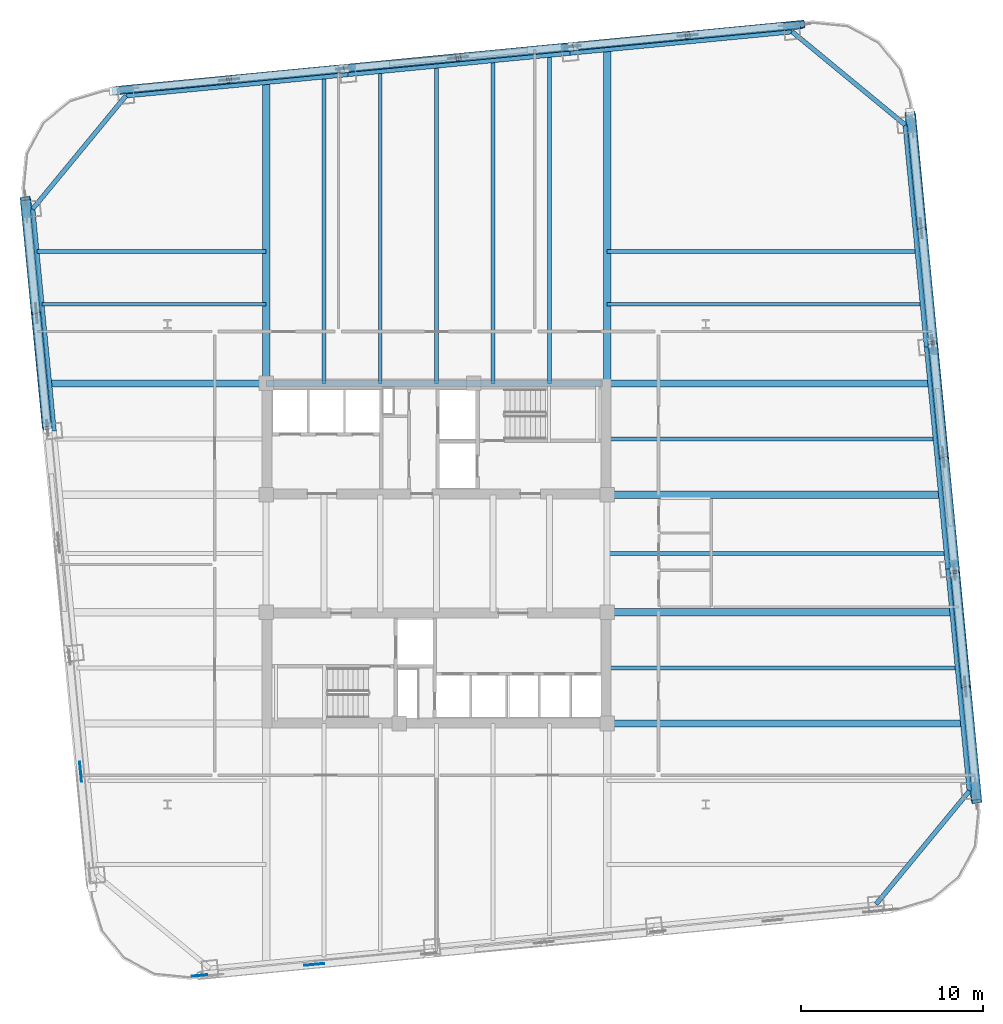
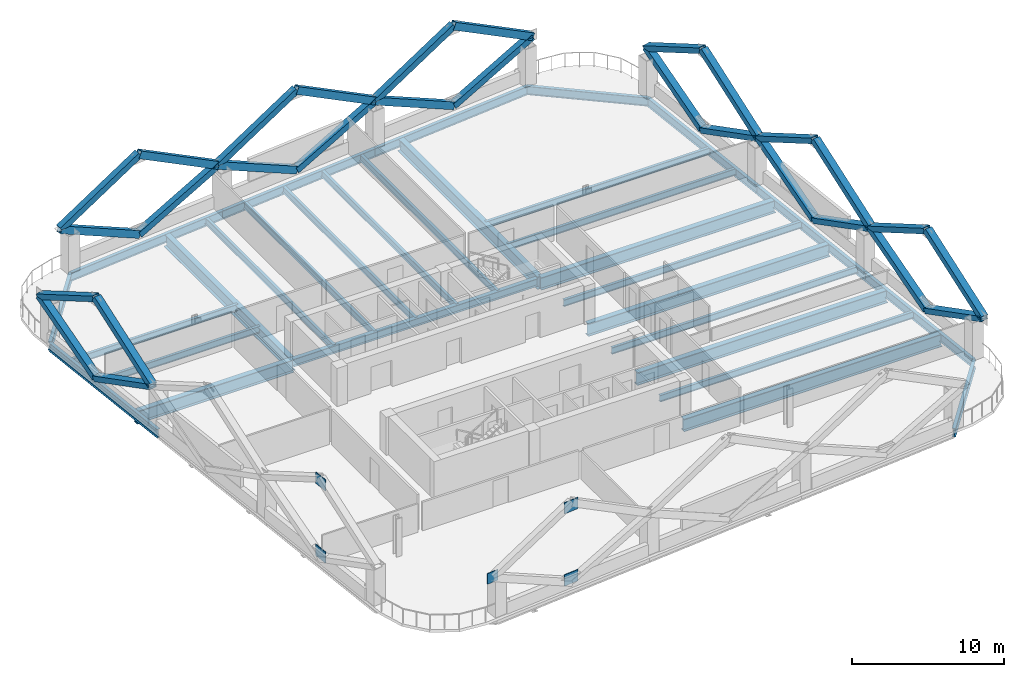
# One storey, part 2 of 8: 30 beams, 28 members, 5 plates.
"""IFC4 building model written with IfcOpenShell, lengths in metres."""

from ifc_helpers import new_model, si_unit, direction, frame, origin, origin_2d, place, context, subcontext, project, spatial, rectangle, hollow_rectangle, i_section, extrude, material, layer, layer_set, material_profile, profile_set, type_object, element, save


model = new_model("IFC4")

# Units and contexts
model_context = context("Model", 3, precision=1e-05, world=origin(), true_north=direction((0.0, 1.0)))
body_context = subcontext(model_context, "Body", "Model", "MODEL_VIEW")
ifc_project = project(units=[si_unit("LENGTHUNIT", "METRE"), si_unit("AREAUNIT", "SQUARE_METRE"), si_unit("VOLUMEUNIT", "CUBIC_METRE"), si_unit("PLANEANGLEUNIT", "RADIAN"), si_unit("MASSUNIT", "GRAM", prefix="KILO")], contexts=[model_context])

# Site, building, storey
site_placement = place(None, origin())
site = spatial("IfcSite", under=ifc_project, at=site_placement, CompositionType="ELEMENT")
building_placement = place(site_placement, origin())
building = spatial("IfcBuilding", under=site, at=building_placement, Name="Qhalaya Broadcast Tower", CompositionType="ELEMENT")
storey_placement = place(building_placement, frame((0.0, 0.0, 93.85009765625)))
storey = spatial("IfcBuildingStorey", under=building, at=storey_placement, Name="L27", CompositionType="ELEMENT", Elevation=93.85009765625)

# Beams
ifc_material_1 = material(Name="Structural Steel ASTM A992 Grade 50", Category="steel")
ifc_material_profile_1 = material_profile(ifc_material_1, i_section(OverallWidth=0.2099609375, OverallDepth=0.535888671875, WebThickness=0.010986328125, FlangeThickness=0.017333984375, at=origin_2d()), Name="W21X68")
ifc_profile_set_1 = profile_set([ifc_material_profile_1], Name="Structural Steel ASTM A992 Grade 50")
beam_type_1 = type_object("IfcBeamType", Name="Composite Floor Joist J02", PredefinedType="JOIST", material=ifc_profile_set_1)
beam_1_placement = place(storey_placement, frame((-6.199951171875, 9.949951171875, -0.488037109375), z_axis=(0.0, 1.0, 0.0), x_axis=(-1.0, 0.0, 0.0)))
element("IfcBeam", 1, at=beam_1_placement, inside=storey, type_object=beam_type_1, Name="L27 J02 L27-JNN1-1", PredefinedType="JOIST", context=body_context, shape_type="SweptSolid", body=[
    extrude(i_section(OverallWidth=0.2099609375, OverallDepth=0.535888671875, WebThickness=0.010986328125, FlangeThickness=0.017333984375, at=origin_2d()), origin(), (0.0, 0.0, 1.0), 16.843505859375),
])
beam_2_placement = place(storey_placement, frame((-3.10009765625, 9.949951171875, -0.488037109375), z_axis=(0.0, 1.0, 0.0), x_axis=(-1.0, 0.0, 0.0)))
element("IfcBeam", 2, at=beam_2_placement, inside=storey, type_object=beam_type_1, Name="L27 J02 L27-JNN2-1", PredefinedType="JOIST", context=body_context, shape_type="SweptSolid", body=[
    extrude(i_section(OverallWidth=0.2099609375, OverallDepth=0.535888671875, WebThickness=0.010986328125, FlangeThickness=0.017333984375, at=origin_2d()), origin(), (0.0, 0.0, 1.0), 17.14208984375),
])
beam_3_placement = place(storey_placement, frame((0.0, 9.949951171875, -0.488037109375), z_axis=(0.0, 1.0, 0.0), x_axis=(-1.0, 0.0, 0.0)))
element("IfcBeam", 3, at=beam_3_placement, inside=storey, type_object=beam_type_1, Name="L27 J02 L27-JNN3-1", PredefinedType="JOIST", context=body_context, shape_type="SweptSolid", body=[
    extrude(i_section(OverallWidth=0.2099609375, OverallDepth=0.535888671875, WebThickness=0.010986328125, FlangeThickness=0.017333984375, at=origin_2d()), origin(), (0.0, 0.0, 1.0), 17.4404296875),
])
beam_4_placement = place(storey_placement, frame((3.10009765625, 9.949951171875, -0.488037109375), z_axis=(0.0, 1.0, 0.0), x_axis=(-1.0, 0.0, 0.0)))
element("IfcBeam", 4, at=beam_4_placement, inside=storey, type_object=beam_type_1, Name="L27 J02 L27-JNN4-1", PredefinedType="JOIST", context=body_context, shape_type="SweptSolid", body=[
    extrude(i_section(OverallWidth=0.2099609375, OverallDepth=0.535888671875, WebThickness=0.010986328125, FlangeThickness=0.017333984375, at=origin_2d()), origin(), (0.0, 0.0, 1.0), 17.739013671875),
])
beam_5_placement = place(storey_placement, frame((6.199951171875, 9.949951171875, -0.488037109375), z_axis=(0.0, 1.0, 0.0), x_axis=(-1.0, 0.0, 0.0)))
element("IfcBeam", 5, at=beam_5_placement, inside=storey, type_object=beam_type_1, Name="L27 J02 L27-JNN5-1", PredefinedType="JOIST", context=body_context, shape_type="SweptSolid", body=[
    extrude(i_section(OverallWidth=0.2099609375, OverallDepth=0.535888671875, WebThickness=0.010986328125, FlangeThickness=0.017333984375, at=origin_2d()), origin(), (0.0, 0.0, 1.0), 18.03759765625),
])
beam_6_placement = place(storey_placement, frame((9.375, -5.699951171875, -0.488037109375), z_axis=(1.0, 0.0, 0.0), x_axis=(0.0, 1.0, 0.0)))
element("IfcBeam", 6, at=beam_6_placement, inside=storey, type_object=beam_type_1, Name="L27 J02 L27-JWE3E-1", PredefinedType="JOIST", context=body_context, shape_type="SweptSolid", body=[
    extrude(i_section(OverallWidth=0.2099609375, OverallDepth=0.535888671875, WebThickness=0.010986328125, FlangeThickness=0.017333984375, at=origin_2d()), origin(), (0.0, 0.0, 1.0), 19.24609375),
])
beam_7_placement = place(storey_placement, frame((9.375, 0.60009765625, -0.488037109375), z_axis=(1.0, 0.0, 0.0), x_axis=(0.0, 1.0, 0.0)))
element("IfcBeam", 7, at=beam_7_placement, inside=storey, type_object=beam_type_1, Name="L27 J02 L27-JWE4E-1", PredefinedType="JOIST", context=body_context, shape_type="SweptSolid", body=[
    extrude(i_section(OverallWidth=0.2099609375, OverallDepth=0.535888671875, WebThickness=0.010986328125, FlangeThickness=0.017333984375, at=origin_2d()), origin(), (0.0, 0.0, 1.0), 18.639404296875),
])
beam_8_placement = place(storey_placement, frame((9.375, 6.89990234375, -0.488037109375), z_axis=(1.0, 0.0, 0.0), x_axis=(0.0, 1.0, 0.0)))
element("IfcBeam", 8, at=beam_8_placement, inside=storey, type_object=beam_type_1, Name="L27 J02 L27-JWE5E-1", PredefinedType="JOIST", context=body_context, shape_type="SweptSolid", body=[
    extrude(i_section(OverallWidth=0.2099609375, OverallDepth=0.535888671875, WebThickness=0.010986328125, FlangeThickness=0.017333984375, at=origin_2d()), origin(), (0.0, 0.0, 1.0), 18.03271484375),
])
beam_9_placement = place(storey_placement, frame((-21.6875, 14.300048828125, -0.488037109375), z_axis=(1.0, 0.0, 0.0), x_axis=(0.0, 1.0, 0.0)))
element("IfcBeam", 9, at=beam_9_placement, inside=storey, type_object=beam_type_1, Name="L27 J02 L27-JWE6W-1", PredefinedType="JOIST", context=body_context, shape_type="SweptSolid", body=[
    extrude(i_section(OverallWidth=0.2099609375, OverallDepth=0.535888671875, WebThickness=0.010986328125, FlangeThickness=0.017333984375, at=origin_2d()), origin(), (0.0, 0.0, 1.0), 12.3125),
])
beam_10_placement = place(storey_placement, frame((9.375, 14.300048828125, -0.488037109375), z_axis=(1.0, 0.0, 0.0), x_axis=(0.0, 1.0, 0.0)))
element("IfcBeam", 10, at=beam_10_placement, inside=storey, type_object=beam_type_1, Name="L27 J02 L27-JWE6E-1", PredefinedType="JOIST", context=body_context, shape_type="SweptSolid", body=[
    extrude(i_section(OverallWidth=0.2099609375, OverallDepth=0.535888671875, WebThickness=0.010986328125, FlangeThickness=0.017333984375, at=origin_2d()), origin(), (0.0, 0.0, 1.0), 17.3203125),
])
beam_11_placement = place(storey_placement, frame((-21.966796875, 17.199951171875, -0.488037109375), z_axis=(1.0, 0.0, 0.0), x_axis=(0.0, 1.0, 0.0)))
element("IfcBeam", 11, at=beam_11_placement, inside=storey, type_object=beam_type_1, Name="L27 J02 L27-JWE7W-1", PredefinedType="JOIST", context=body_context, shape_type="SweptSolid", body=[
    extrude(i_section(OverallWidth=0.2099609375, OverallDepth=0.535888671875, WebThickness=0.010986328125, FlangeThickness=0.017333984375, at=origin_2d()), origin(), (0.0, 0.0, 1.0), 12.591796875),
])
beam_12_placement = place(storey_placement, frame((9.375, 17.199951171875, -0.488037109375), z_axis=(1.0, 0.0, 0.0), x_axis=(0.0, 1.0, 0.0)))
element("IfcBeam", 12, at=beam_12_placement, inside=storey, type_object=beam_type_1, Name="L27 J02 L27-JWE7E-1", PredefinedType="JOIST", context=body_context, shape_type="SweptSolid", body=[
    extrude(i_section(OverallWidth=0.2099609375, OverallDepth=0.535888671875, WebThickness=0.010986328125, FlangeThickness=0.017333984375, at=origin_2d()), origin(), (0.0, 0.0, 1.0), 17.041015625),
])
ifc_material_profile_2 = material_profile(ifc_material_1, i_section(OverallWidth=0.323974609375, OverallDepth=0.612060546875, WebThickness=0.0126953125, FlangeThickness=0.01904296875, at=origin_2d()), Name="W24X104")
ifc_profile_set_2 = profile_set([ifc_material_profile_2], Name="Structural Steel ASTM A992 Grade 50")
beam_type_2 = type_object("IfcBeamType", Name="Core Frame Tie Beam B04", PredefinedType="BEAM", material=ifc_profile_set_2)
beam_13_placement = place(storey_placement, frame((-9.375, 9.949951171875, -0.526123046875), z_axis=(1.0, 0.0, 0.0), x_axis=(0.0, 1.0, 0.0)))
element("IfcBeam", 13, at=beam_13_placement, inside=storey, type_object=beam_type_2, Name="L27 B04 L27-CCN3", PredefinedType="BEAM", context=body_context, shape_type="SweptSolid", body=[
    extrude(i_section(OverallWidth=0.323974609375, OverallDepth=0.612060546875, WebThickness=0.0126953125, FlangeThickness=0.01904296875, at=origin_2d()), origin(), (0.0, 0.0, 1.0), 18.4951171875),
])

# Members
ifc_material_2 = material(Name="Structural Steel ASTM A572 Grade 50", Category="steel")
ifc_material_profile_3 = material_profile(ifc_material_2, hollow_rectangle(XDim=0.419921875, YDim=0.550048828125, WallThickness=0.028076171875, at=origin_2d()), Name="BOX 420x550x28")
ifc_profile_set_3 = profile_set([ifc_material_profile_3], Name="Structural Steel ASTM A572 Grade 50")
member_type = type_object("IfcMemberType", Name="Exoskeleton Diamond Diagonal Mid-Low EX2", PredefinedType="BRACE", material=ifc_profile_set_3)
for number, where, z_axis, x_axis, name in (
    (14, (29.08154296875, -6.725830078125, 0.35986328125), (0.0869049489, -0.902315878766, 0.42222456677), (-0.135696420118, 0.409156181296, 0.902317959965), "B2 Exoskeleton Diamond Brace E1-D1"),
    (15, (29.08154296875, -6.725830078125, 0.35986328125), (-0.086870268966, 0.902318618362, 0.422225848721), (0.135680842624, -0.409162657961, 0.902317365607), "B2 Exoskeleton Diamond Brace E1-D2"),
):
    element("IfcMember", number, at=place(storey_placement, frame(where, z_axis=z_axis, x_axis=x_axis)), inside=storey, type_object=member_type, Name=name, PredefinedType="BRACE", context=body_context, shape_type="SweptSolid", body=[
        extrude(hollow_rectangle(XDim=0.419921875, YDim=0.550048828125, WallThickness=0.028076171875, at=origin_2d()), origin(), (0.0, 0.0, 1.0), 6.986572265625),
    ])
for number, where, z_axis, x_axis, name in (
    (16, (29.688720703125, -13.030029296875, 3.309814453125), (-0.084299594771, 0.875265032642, 0.476240171506), (0.140851033595, -0.462675453191, 0.875267051448), "B2 Exoskeleton Diamond Brace E1-D3"),
    (17, (28.474609375, -0.421630859375, 3.309814453125), (0.084265939409, -0.875267533156, 0.47624153206), (-0.140833410014, 0.462682205484, 0.875266317958), "B2 Exoskeleton Diamond Brace E1-D4"),
):
    element("IfcMember", number, at=place(storey_placement, frame(where, z_axis=z_axis, x_axis=x_axis)), inside=storey, type_object=member_type, Name=name, PredefinedType="BRACE", context=body_context, shape_type="SweptSolid", body=[
        extrude(hollow_rectangle(XDim=0.419921875, YDim=0.550048828125, WallThickness=0.028076171875, at=origin_2d()), origin(), (0.0, 0.0, 1.0), 7.20263671875),
    ])
member_1_placement = place(storey_placement, frame((27.867431640625, 5.882568359375, 0.35986328125), z_axis=(0.0869049489, -0.902315878766, 0.42222456677), x_axis=(-0.135696420118, 0.409156181296, 0.902317959965)))
element("IfcMember", 18, at=member_1_placement, inside=storey, type_object=member_type, Name="B2 Exoskeleton Diamond Brace E2-D1", PredefinedType="BRACE", context=body_context, shape_type="SweptSolid", body=[
    extrude(hollow_rectangle(XDim=0.419921875, YDim=0.550048828125, WallThickness=0.028076171875, at=origin_2d()), origin(), (0.0, 0.0, 1.0), 6.986572265625),
])
member_2_placement = place(storey_placement, frame((27.867431640625, 5.882568359375, 0.35986328125), z_axis=(-0.0868730081, 0.90231212476, 0.422239162057), x_axis=(0.1356836242, -0.409175347762, 0.902311192942)))
element("IfcMember", 19, at=member_2_placement, inside=storey, type_object=member_type, Name="B2 Exoskeleton Diamond Brace E2-D2", PredefinedType="BRACE", context=body_context, shape_type="SweptSolid", body=[
    extrude(hollow_rectangle(XDim=0.419921875, YDim=0.550048828125, WallThickness=0.028076171875, at=origin_2d()), origin(), (0.0, 0.0, 1.0), 6.986328125),
])
member_3_placement = place(storey_placement, frame((28.474609375, -0.421630859375, 3.309814453125), z_axis=(-0.084299594771, 0.875265032642, 0.476240171506), x_axis=(0.140851033595, -0.462675453191, 0.875267051448)))
element("IfcMember", 20, at=member_3_placement, inside=storey, type_object=member_type, Name="B2 Exoskeleton Diamond Brace E2-D3", PredefinedType="BRACE", context=body_context, shape_type="SweptSolid", body=[
    extrude(hollow_rectangle(XDim=0.419921875, YDim=0.550048828125, WallThickness=0.028076171875, at=origin_2d()), origin(), (0.0, 0.0, 1.0), 7.20263671875),
])
member_4_placement = place(storey_placement, frame((27.260498046875, 12.1865234375, 3.309814453125), z_axis=(0.084268439494, -0.875259604255, 0.476255661662), x_axis=(-0.140836467173, 0.462695685018, 0.875258700374)))
element("IfcMember", 21, at=member_4_placement, inside=storey, type_object=member_type, Name="B2 Exoskeleton Diamond Brace E2-D4", PredefinedType="BRACE", context=body_context, shape_type="SweptSolid", body=[
    extrude(hollow_rectangle(XDim=0.419921875, YDim=0.550048828125, WallThickness=0.028076171875, at=origin_2d()), origin(), (0.0, 0.0, 1.0), 7.202392578125),
])
for number, where, z_axis, x_axis, name in (
    (22, (26.6533203125, 18.49072265625, 0.35986328125), (0.0869049489, -0.902315878766, 0.42222456677), (-0.135696420118, 0.409156181296, 0.902317959965), "B2 Exoskeleton Diamond Brace E3-D1"),
    (23, (26.6533203125, 18.49072265625, 0.35986328125), (-0.086870268966, 0.902318618362, 0.422225848721), (0.135680842624, -0.409162657961, 0.902317365607), "B2 Exoskeleton Diamond Brace E3-D2"),
):
    element("IfcMember", number, at=place(storey_placement, frame(where, z_axis=z_axis, x_axis=x_axis)), inside=storey, type_object=member_type, Name=name, PredefinedType="BRACE", context=body_context, shape_type="SweptSolid", body=[
        extrude(hollow_rectangle(XDim=0.419921875, YDim=0.550048828125, WallThickness=0.028076171875, at=origin_2d()), origin(), (0.0, 0.0, 1.0), 6.986572265625),
    ])
for number, where, z_axis, x_axis, name in (
    (24, (27.260498046875, 12.1865234375, 3.309814453125), (-0.084299594771, 0.875265032642, 0.476240171506), (0.140851033595, -0.462675453191, 0.875267051448), "B2 Exoskeleton Diamond Brace E3-D3"),
    (25, (26.04638671875, 24.794921875, 3.309814453125), (0.084265939409, -0.875267533156, 0.47624153206), (-0.140833410014, 0.462682205484, 0.875266317958), "B2 Exoskeleton Diamond Brace E3-D4"),
):
    element("IfcMember", number, at=place(storey_placement, frame(where, z_axis=z_axis, x_axis=x_axis)), inside=storey, type_object=member_type, Name=name, PredefinedType="BRACE", context=body_context, shape_type="SweptSolid", body=[
        extrude(hollow_rectangle(XDim=0.419921875, YDim=0.550048828125, WallThickness=0.028076171875, at=origin_2d()), origin(), (0.0, 0.0, 1.0), 7.20263671875),
    ])
for number, where, z_axis, x_axis, name in (
    (26, (13.805908203125, 29.08154296875, 0.35986328125), (0.902315878766, 0.0869049489, 0.42222456677), (-0.135710258399, 0.98693161436, 0.086883337537), "B2 Exoskeleton Diamond Brace N1-D1"),
    (27, (13.805908203125, 29.08154296875, 0.35986328125), (-0.902318618362, -0.086870268966, 0.422225848721), (0.135672511175, -0.98693680918, 0.086883280306), "B2 Exoskeleton Diamond Brace N1-D2"),
):
    element("IfcMember", number, at=place(storey_placement, frame(where, z_axis=z_axis, x_axis=x_axis)), inside=storey, type_object=member_type, Name=name, PredefinedType="BRACE", context=body_context, shape_type="SweptSolid", body=[
        extrude(hollow_rectangle(XDim=0.419921875, YDim=0.550048828125, WallThickness=0.028076171875, at=origin_2d()), origin(), (0.0, 0.0, 1.0), 6.986572265625),
    ])
for number, where, z_axis, x_axis, name in (
    (28, (20.110107421875, 29.688720703125, 3.309814453125), (-0.875265032642, -0.084299594771, 0.476240171506), (0.14086357815, -0.986435281535, 0.084278631303), "B2 Exoskeleton Diamond Brace N1-D3"),
    (29, (7.501708984375, 28.474609375, 3.309814453125), (0.875267533156, 0.084265939409, 0.47624153206), (-0.140825857466, 0.98644067337, 0.084278560676), "B2 Exoskeleton Diamond Brace N1-D4"),
):
    element("IfcMember", number, at=place(storey_placement, frame(where, z_axis=z_axis, x_axis=x_axis)), inside=storey, type_object=member_type, Name=name, PredefinedType="BRACE", context=body_context, shape_type="SweptSolid", body=[
        extrude(hollow_rectangle(XDim=0.419921875, YDim=0.550048828125, WallThickness=0.028076171875, at=origin_2d()), origin(), (0.0, 0.0, 1.0), 7.20263671875),
    ])
for number, where, z_axis, x_axis, name in (
    (30, (1.197509765625, 27.867431640625, 0.35986328125), (0.902315878766, 0.0869049489, 0.42222456677), (-0.135710258399, 0.98693161436, 0.086883337537), "B2 Exoskeleton Diamond Brace N2-D1"),
    (31, (1.197509765625, 27.867431640625, 0.35986328125), (-0.902318618362, -0.086870268966, 0.422225848721), (0.135672511175, -0.98693680918, 0.086883280306), "B2 Exoskeleton Diamond Brace N2-D2"),
):
    element("IfcMember", number, at=place(storey_placement, frame(where, z_axis=z_axis, x_axis=x_axis)), inside=storey, type_object=member_type, Name=name, PredefinedType="BRACE", context=body_context, shape_type="SweptSolid", body=[
        extrude(hollow_rectangle(XDim=0.419921875, YDim=0.550048828125, WallThickness=0.028076171875, at=origin_2d()), origin(), (0.0, 0.0, 1.0), 6.986572265625),
    ])
for number, where, z_axis, x_axis, name in (
    (32, (7.501708984375, 28.474609375, 3.309814453125), (-0.875265032642, -0.084299594771, 0.476240171506), (0.14086357815, -0.986435281535, 0.084278631303), "B2 Exoskeleton Diamond Brace N2-D3"),
    (33, (-5.106689453125, 27.260498046875, 3.309814453125), (0.875267533156, 0.084265939409, 0.47624153206), (-0.140825857466, 0.98644067337, 0.084278560676), "B2 Exoskeleton Diamond Brace N2-D4"),
):
    element("IfcMember", number, at=place(storey_placement, frame(where, z_axis=z_axis, x_axis=x_axis)), inside=storey, type_object=member_type, Name=name, PredefinedType="BRACE", context=body_context, shape_type="SweptSolid", body=[
        extrude(hollow_rectangle(XDim=0.419921875, YDim=0.550048828125, WallThickness=0.028076171875, at=origin_2d()), origin(), (0.0, 0.0, 1.0), 7.20263671875),
    ])
for number, where, z_axis, x_axis, name in (
    (34, (-11.410888671875, 26.6533203125, 0.35986328125), (0.902315878766, 0.0869049489, 0.42222456677), (-0.135710258399, 0.98693161436, 0.086883337537), "B2 Exoskeleton Diamond Brace N3-D1"),
    (35, (-11.410888671875, 26.6533203125, 0.35986328125), (-0.902318618362, -0.086870268966, 0.422225848721), (0.135672511175, -0.98693680918, 0.086883280306), "B2 Exoskeleton Diamond Brace N3-D2"),
):
    element("IfcMember", number, at=place(storey_placement, frame(where, z_axis=z_axis, x_axis=x_axis)), inside=storey, type_object=member_type, Name=name, PredefinedType="BRACE", context=body_context, shape_type="SweptSolid", body=[
        extrude(hollow_rectangle(XDim=0.419921875, YDim=0.550048828125, WallThickness=0.028076171875, at=origin_2d()), origin(), (0.0, 0.0, 1.0), 6.986572265625),
    ])
for number, where, z_axis, x_axis, name in (
    (36, (-5.106689453125, 27.260498046875, 3.309814453125), (-0.875265032642, -0.084299594771, 0.476240171506), (0.14086357815, -0.986435281535, 0.084278631303), "B2 Exoskeleton Diamond Brace N3-D3"),
    (37, (-17.715087890625, 26.04638671875, 3.309814453125), (0.875267533156, 0.084265939409, 0.47624153206), (-0.140825857466, 0.98644067337, 0.084278560676), "B2 Exoskeleton Diamond Brace N3-D4"),
):
    element("IfcMember", number, at=place(storey_placement, frame(where, z_axis=z_axis, x_axis=x_axis)), inside=storey, type_object=member_type, Name=name, PredefinedType="BRACE", context=body_context, shape_type="SweptSolid", body=[
        extrude(hollow_rectangle(XDim=0.419921875, YDim=0.550048828125, WallThickness=0.028076171875, at=origin_2d()), origin(), (0.0, 0.0, 1.0), 7.20263671875),
    ])
for number, where, z_axis, x_axis, name in (
    (38, (-22.00146484375, 13.805908203125, 0.35986328125), (-0.0869049489, 0.902315878766, 0.42222456677), (0.135696420118, -0.409156181296, 0.902317959965), "B2 Exoskeleton Diamond Brace W1-D1"),
    (39, (-22.00146484375, 13.805908203125, 0.35986328125), (0.086870268966, -0.902318618362, 0.422225848721), (-0.135680842624, 0.409162657961, 0.902317365607), "B2 Exoskeleton Diamond Brace W1-D2"),
):
    element("IfcMember", number, at=place(storey_placement, frame(where, z_axis=z_axis, x_axis=x_axis)), inside=storey, type_object=member_type, Name=name, PredefinedType="BRACE", context=body_context, shape_type="SweptSolid", body=[
        extrude(hollow_rectangle(XDim=0.419921875, YDim=0.550048828125, WallThickness=0.028076171875, at=origin_2d()), origin(), (0.0, 0.0, 1.0), 6.986572265625),
    ])
for number, where, z_axis, x_axis, name in (
    (40, (-22.608642578125, 20.110107421875, 3.309814453125), (0.084299594771, -0.875265032642, 0.476240171506), (-0.140851033595, 0.462675453191, 0.875267051448), "B2 Exoskeleton Diamond Brace W1-D3"),
    (41, (-21.39453125, 7.501708984375, 3.309814453125), (-0.084265939409, 0.875267533156, 0.47624153206), (0.140833410014, -0.462682205484, 0.875266317958), "B2 Exoskeleton Diamond Brace W1-D4"),
):
    element("IfcMember", number, at=place(storey_placement, frame(where, z_axis=z_axis, x_axis=x_axis)), inside=storey, type_object=member_type, Name=name, PredefinedType="BRACE", context=body_context, shape_type="SweptSolid", body=[
        extrude(hollow_rectangle(XDim=0.419921875, YDim=0.550048828125, WallThickness=0.028076171875, at=origin_2d()), origin(), (0.0, 0.0, 1.0), 7.20263671875),
    ])

# Beams
ifc_material_profile_4 = material_profile(ifc_material_1, i_section(OverallWidth=0.40087890625, OverallDepth=1.010986328125, WebThickness=0.023681640625, FlangeThickness=0.0419921875, at=origin_2d()), Name="W40X297")
ifc_profile_set_4 = profile_set([ifc_material_profile_4], Name="Structural Steel ASTM A992 Grade 50")
beam_type_3 = type_object("IfcBeamType", Name="Lower Block Primary Girder PG2", PredefinedType="USERDEFINED", material=ifc_profile_set_4)
beam_14_placement = place(storey_placement, frame((-9.375, 9.949951171875, -0.7255859375), z_axis=(0.0, 1.0, 0.0), x_axis=(-1.0, 0.0, 0.0)))
element("IfcBeam", 42, at=beam_14_placement, inside=storey, type_object=beam_type_3, Name="L27 PG2 L27-PGXN1-1", ObjectType="GIRDER", PredefinedType="USERDEFINED", context=body_context, shape_type="SweptSolid", body=[
    extrude(i_section(OverallWidth=0.40087890625, OverallDepth=1.010986328125, WebThickness=0.023681640625, FlangeThickness=0.0419921875, at=origin_2d()), origin(), (0.0, 0.0, 1.0), 16.537841796875),
])
beam_15_placement = place(storey_placement, frame((9.375, 9.949951171875, -0.7255859375), z_axis=(0.0, 1.0, 0.0), x_axis=(-1.0, 0.0, 0.0)))
element("IfcBeam", 43, at=beam_15_placement, inside=storey, type_object=beam_type_3, Name="L27 PG2 L27-PGXN2-1", ObjectType="GIRDER", PredefinedType="USERDEFINED", context=body_context, shape_type="SweptSolid", body=[
    extrude(i_section(OverallWidth=0.40087890625, OverallDepth=1.010986328125, WebThickness=0.023681640625, FlangeThickness=0.0419921875, at=origin_2d()), origin(), (0.0, 0.0, 1.0), 18.34326171875),
])
beam_16_placement = place(storey_placement, frame((9.375, -8.75, -0.7255859375), z_axis=(1.0, 0.0, 0.0), x_axis=(0.0, 1.0, 0.0)))
element("IfcBeam", 44, at=beam_16_placement, inside=storey, type_object=beam_type_3, Name="L27 PG2 L27-PGYE1-1", ObjectType="GIRDER", PredefinedType="USERDEFINED", context=body_context, shape_type="SweptSolid", body=[
    extrude(i_section(OverallWidth=0.40087890625, OverallDepth=1.010986328125, WebThickness=0.023681640625, FlangeThickness=0.0419921875, at=origin_2d()), origin(), (0.0, 0.0, 1.0), 19.539794921875),
])
beam_17_placement = place(storey_placement, frame((9.375, -2.625, -0.7255859375), z_axis=(1.0, 0.0, 0.0), x_axis=(0.0, 1.0, 0.0)))
element("IfcBeam", 45, at=beam_17_placement, inside=storey, type_object=beam_type_3, Name="L27 PG2 L27-PGYE2-1", ObjectType="GIRDER", PredefinedType="USERDEFINED", context=body_context, shape_type="SweptSolid", body=[
    extrude(i_section(OverallWidth=0.40087890625, OverallDepth=1.010986328125, WebThickness=0.023681640625, FlangeThickness=0.0419921875, at=origin_2d()), origin(), (0.0, 0.0, 1.0), 18.949951171875),
])
beam_18_placement = place(storey_placement, frame((9.375, 3.824951171875, -0.7255859375), z_axis=(1.0, 0.0, 0.0), x_axis=(0.0, 1.0, 0.0)))
element("IfcBeam", 46, at=beam_18_placement, inside=storey, type_object=beam_type_3, Name="L27 PG2 L27-PGYE3-1", ObjectType="GIRDER", PredefinedType="USERDEFINED", context=body_context, shape_type="SweptSolid", body=[
    extrude(i_section(OverallWidth=0.40087890625, OverallDepth=1.010986328125, WebThickness=0.023681640625, FlangeThickness=0.0419921875, at=origin_2d()), origin(), (0.0, 0.0, 1.0), 18.328857421875),
])
beam_19_placement = place(storey_placement, frame((-21.2685546875, 9.949951171875, -0.7255859375), z_axis=(1.0, 0.0, 0.0), x_axis=(0.0, 1.0, 0.0)))
element("IfcBeam", 47, at=beam_19_placement, inside=storey, type_object=beam_type_3, Name="L27 PG2 L27-PGYW4-1", ObjectType="GIRDER", PredefinedType="USERDEFINED", context=body_context, shape_type="SweptSolid", body=[
    extrude(i_section(OverallWidth=0.40087890625, OverallDepth=1.010986328125, WebThickness=0.023681640625, FlangeThickness=0.0419921875, at=origin_2d()), origin(), (0.0, 0.0, 1.0), 11.8935546875),
])
beam_20_placement = place(storey_placement, frame((9.375, 9.949951171875, -0.7255859375), z_axis=(1.0, 0.0, 0.0), x_axis=(0.0, 1.0, 0.0)))
element("IfcBeam", 48, at=beam_20_placement, inside=storey, type_object=beam_type_3, Name="L27 PG2 L27-PGYE4-1", ObjectType="GIRDER", PredefinedType="USERDEFINED", context=body_context, shape_type="SweptSolid", body=[
    extrude(i_section(OverallWidth=0.40087890625, OverallDepth=1.010986328125, WebThickness=0.023681640625, FlangeThickness=0.0419921875, at=origin_2d()), origin(), (0.0, 0.0, 1.0), 17.7392578125),
])
ifc_material_profile_5 = material_profile(ifc_material_1, i_section(OverallWidth=0.25390625, OverallDepth=0.68310546875, WebThickness=0.012451171875, FlangeThickness=0.01904296875, at=origin_2d()), Name="W27X94")
ifc_profile_set_5 = profile_set([ifc_material_profile_5], Name="Structural Steel ASTM A992 Grade 50")
beam_type_4 = type_object("IfcBeamType", Name="Perimeter Ring Spandrel Beam SP1", PredefinedType="SPANDREL", material=ifc_profile_set_5)
beam_21_placement = place(storey_placement, frame((24.165283203125, -18.685546875, -0.5615234375), z_axis=(0.636052208619, 0.771646025008, 0.0), x_axis=(-0.771646025008, 0.636052208619, 0.0)))
element("IfcBeam", 49, at=beam_21_placement, inside=storey, type_object=beam_type_4, Name="L27 SP1 L27-SPR-04", PredefinedType="SPANDREL", context=body_context, shape_type="SweptSolid", body=[
    extrude(i_section(OverallWidth=0.25390625, OverallDepth=0.68310546875, WebThickness=0.012451171875, FlangeThickness=0.01904296875, at=origin_2d()), origin(), (0.0, 0.0, 1.0), 8.06103515625),
])
for number, where, z_axis, x_axis, name in (
    (50, (29.29248046875, -12.46533203125, -0.5615234375), (-0.095831866369, 0.995397535354, 0.0), (-0.995397535354, -0.095831866369, 0.0), "L27 SP1 L27-SPR-05"),
    (51, (28.116943359375, -0.255126953125, -0.5615234375), (-0.095851586307, 0.99539563662, 0.0), (-0.99539563662, -0.095851586307, 0.0), "L27 SP1 L27-SPR-06"),
    (52, (26.941162109375, 11.955078125, -0.5615234375), (-0.095851586307, 0.99539563662, 0.0), (-0.99539563662, -0.095851586307, 0.0), "L27 SP1 L27-SPR-07"),
):
    element("IfcBeam", number, at=place(storey_placement, frame(where, z_axis=z_axis, x_axis=x_axis)), inside=storey, type_object=beam_type_4, Name=name, PredefinedType="SPANDREL", context=body_context, shape_type="SweptSolid", body=[
        extrude(i_section(OverallWidth=0.25390625, OverallDepth=0.68310546875, WebThickness=0.012451171875, FlangeThickness=0.01904296875, at=origin_2d()), origin(), (0.0, 0.0, 1.0), 12.2666015625),
    ])
beam_22_placement = place(storey_placement, frame((25.765380859375, 24.165283203125, -0.5615234375), z_axis=(-0.771633771695, 0.636067073806, 0.0), x_axis=(-0.636067073806, -0.771633771695, 0.0)))
element("IfcBeam", 53, at=beam_22_placement, inside=storey, type_object=beam_type_4, Name="L27 SP1 L27-SPR-08", PredefinedType="SPANDREL", context=body_context, shape_type="SweptSolid", body=[
    extrude(i_section(OverallWidth=0.25390625, OverallDepth=0.68310546875, WebThickness=0.012451171875, FlangeThickness=0.01904296875, at=origin_2d()), origin(), (0.0, 0.0, 1.0), 8.060791015625),
])
for number, where, z_axis, x_axis, name in (
    (54, (19.54541015625, 29.29248046875, -0.5615234375), (-0.995397535354, -0.095831866369, 0.0), (0.095831866369, -0.995397535354, 0.0), "L27 SP1 L27-SPR-09"),
    (55, (7.335205078125, 28.116943359375, -0.5615234375), (-0.99539563662, -0.095851586307, 0.0), (0.095851586307, -0.99539563662, 0.0), "L27 SP1 L27-SPR-10"),
    (56, (-4.875, 26.941162109375, -0.5615234375), (-0.99539563662, -0.095851586307, 0.0), (0.095851586307, -0.99539563662, 0.0), "L27 SP1 L27-SPR-11"),
):
    element("IfcBeam", number, at=place(storey_placement, frame(where, z_axis=z_axis, x_axis=x_axis)), inside=storey, type_object=beam_type_4, Name=name, PredefinedType="SPANDREL", context=body_context, shape_type="SweptSolid", body=[
        extrude(i_section(OverallWidth=0.25390625, OverallDepth=0.68310546875, WebThickness=0.012451171875, FlangeThickness=0.01904296875, at=origin_2d()), origin(), (0.0, 0.0, 1.0), 12.2666015625),
    ])
beam_23_placement = place(storey_placement, frame((-17.085205078125, 25.765380859375, -0.5615234375), z_axis=(-0.636085107008, -0.771618906354, 0.0), x_axis=(0.771618906354, -0.636085107008, 0.0)))
element("IfcBeam", 57, at=beam_23_placement, inside=storey, type_object=beam_type_4, Name="L27 SP1 L27-SPR-12", PredefinedType="SPANDREL", context=body_context, shape_type="SweptSolid", body=[
    extrude(i_section(OverallWidth=0.25390625, OverallDepth=0.68310546875, WebThickness=0.012451171875, FlangeThickness=0.01904296875, at=origin_2d()), origin(), (0.0, 0.0, 1.0), 8.06103515625),
])
beam_24_placement = place(storey_placement, frame((-22.212646484375, 19.54541015625, -0.5615234375), z_axis=(0.095851586307, -0.99539563662, 0.0), x_axis=(0.99539563662, 0.095851586307, 0.0)))
element("IfcBeam", 58, at=beam_24_placement, inside=storey, type_object=beam_type_4, Name="L27 SP1 L27-SPR-13", PredefinedType="SPANDREL", context=body_context, shape_type="SweptSolid", body=[
    extrude(i_section(OverallWidth=0.25390625, OverallDepth=0.68310546875, WebThickness=0.012451171875, FlangeThickness=0.01904296875, at=origin_2d()), origin(), (0.0, 0.0, 1.0), 12.2666015625),
])

# Plates
ifc_layer = layer(ifc_material_2, 0.054931640625, Name="Structural Steel ASTM A572 Grade 50")
ifc_layer_set = layer_set([ifc_layer], Name="Structural Steel ASTM A572 Grade 50")
plate_type = type_object("IfcPlateType", Name="Exoskeleton Diamond Node Gusset Plate NP-01", PredefinedType="USERDEFINED", material=ifc_layer_set)
for number, where, z_axis, x_axis, name in (
    (59, (-6.725830078125, -22.00146484375, 0.2099609375), (0.0, 0.0, 1.0), (0.995396198367, 0.09584575252, 0.0), "Exoskeleton Diamond Node B2-S1-BOT"),
    (60, (-6.725830078125, -22.00146484375, 5.989990234375), (0.0, 0.0, 1.0), (0.995396198367, 0.09584575252, 0.0), "Exoskeleton Diamond Node B2-S1-TOP"),
):
    element("IfcPlate", number, at=place(storey_placement, frame(where, z_axis=z_axis, x_axis=x_axis)), inside=storey, type_object=plate_type, Name=name, ObjectType="GUSSET_PLATE", PredefinedType="USERDEFINED", context=body_context, shape_type="SweptSolid", body=[
        extrude(rectangle(XDim=1.10009765625, YDim=0.054931640625, at=origin_2d()), origin(), (0.0, 0.0, 1.0), 0.89990234375),
    ])
plate_placement = place(storey_placement, frame((-13.030029296875, -22.608642578125, 2.884765625), z_axis=(0.0, 0.0, 1.0), x_axis=(0.995396198367, 0.09584575252, 0.0)))
element("IfcPlate", 61, at=plate_placement, inside=storey, type_object=plate_type, Name="Exoskeleton Diamond Node B2-S1-MDL", ObjectType="GUSSET_PLATE", PredefinedType="USERDEFINED", context=body_context, shape_type="SweptSolid", body=[
    extrude(rectangle(XDim=0.85009765625, YDim=0.054931640625, at=origin_2d()), origin(), (0.0, 0.0, 1.0), 0.85009765625),
])
for number, where, z_axis, x_axis, name in (
    (62, (-19.573486328125, -11.410888671875, 0.2099609375), (0.0, 0.0, 1.0), (-0.09584575252, 0.995396198367, 0.0), "Exoskeleton Diamond Node B2-W3-BOT"),
    (63, (-19.573486328125, -11.410888671875, 5.989990234375), (0.0, 0.0, 1.0), (-0.09584575252, 0.995396198367, 0.0), "Exoskeleton Diamond Node B2-W3-TOP"),
):
    element("IfcPlate", number, at=place(storey_placement, frame(where, z_axis=z_axis, x_axis=x_axis)), inside=storey, type_object=plate_type, Name=name, ObjectType="GUSSET_PLATE", PredefinedType="USERDEFINED", context=body_context, shape_type="SweptSolid", body=[
        extrude(rectangle(XDim=1.10009765625, YDim=0.054931640625, at=origin_2d()), origin(), (0.0, 0.0, 1.0), 0.89990234375),
    ])

save(model, "model.ifc")
